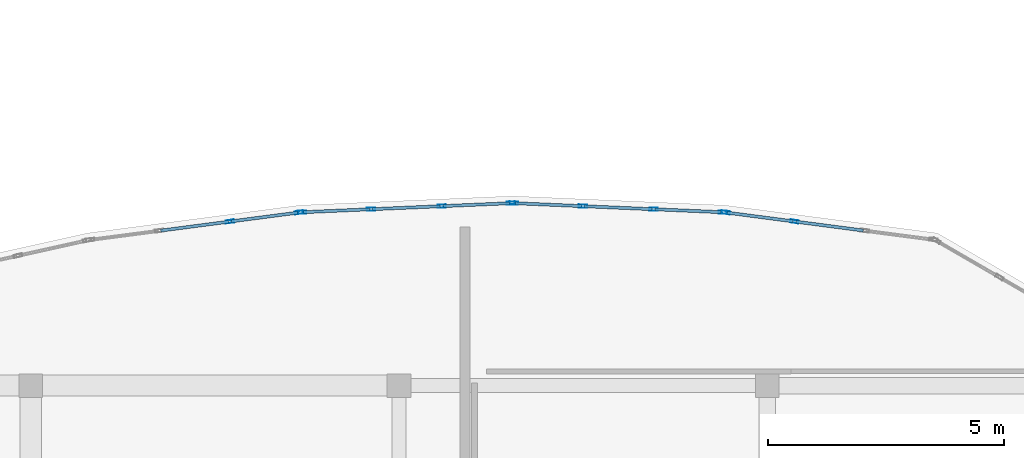
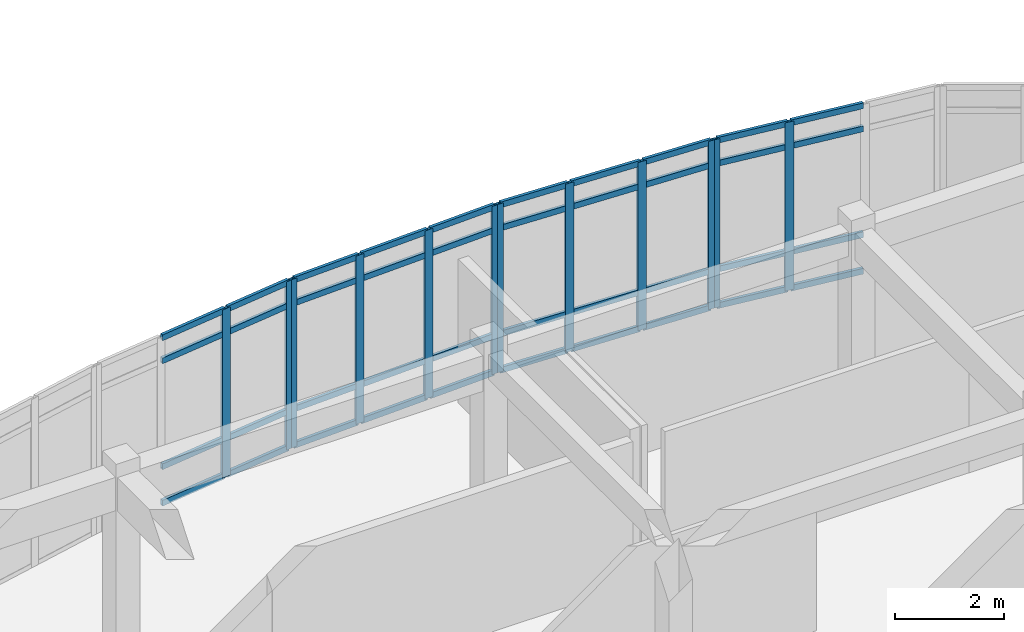
# One storey, part 25 of 52: 52 members, 4 elements without a shape of their own.
"""IFC4 building model written with IfcOpenShell, lengths in metres."""

from ifc_helpers import new_model, si_unit, direction, frame, origin, origin_2d, place, context, subcontext, project, spatial, hollow_rectangle, extrude, material, layer, layer_set, material_profile, profile_set, type_object, element, aggregate, save


model = new_model("IFC4")

# Units and contexts
model_context = context("Model", 3, precision=1e-05, world=origin(), true_north=direction((0.0, 1.0)))
body_context = subcontext(model_context, "Body", "Model", "MODEL_VIEW")
ifc_project = project(units=[si_unit("LENGTHUNIT", "METRE"), si_unit("AREAUNIT", "SQUARE_METRE"), si_unit("VOLUMEUNIT", "CUBIC_METRE"), si_unit("PLANEANGLEUNIT", "RADIAN"), si_unit("MASSUNIT", "GRAM", prefix="KILO")], contexts=[model_context])

# Site, building, storey
site_placement = place(None, origin())
site = spatial("IfcSite", under=ifc_project, at=site_placement, CompositionType="ELEMENT")
building_placement = place(site_placement, origin())
building = spatial("IfcBuilding", under=site, at=building_placement, Name="Valcora Specialist Clinic", CompositionType="ELEMENT")
storey_placement = place(building_placement, frame((0.0, 0.0, 17.679931640625)))
storey = spatial("IfcBuildingStorey", under=building, at=storey_placement, Name="L04", CompositionType="ELEMENT", Elevation=17.679931640625)

# Curtain wall, members
ifc_material = material(Name="Anodized Bronze Aluminium 6063-T6", Category="aluminium")
ifc_layer = layer(ifc_material, 0.175048828125)
ifc_layer_set = layer_set([ifc_layer], Name="Anodized Bronze Aluminium 6063-T6")
curtain_wall_type = type_object("IfcCurtainWallType", Name="TY-CW-ARC40", PredefinedType="NOTDEFINED", material=ifc_layer_set)
curtain_wall_1_placement = place(storey_placement, origin())
curtain_wall_1 = element("IfcCurtainWall", 1, at=curtain_wall_1_placement, inside=storey, type_object=curtain_wall_type, Name="Curtain wall CW-L04-220", PredefinedType="NOTDEFINED")
ifc_material_profile_1 = material_profile(ifc_material, hollow_rectangle(XDim=0.06494140625, YDim=0.175048828125, WallThickness=0.00390625, at=origin_2d()), Name="AL-MUL-65X175")
ifc_profile_set_1 = profile_set([ifc_material_profile_1], Name="Anodized Bronze Aluminium 6063-T6")
member_type_1 = type_object("IfcMemberType", Name="TY-CWM-65X175", PredefinedType="MULLION", material=ifc_profile_set_1)
member_1_placement = place(storey_placement, frame((81.017333984375, 25.474365234375, 0.0), z_axis=(0.0, 0.0, 1.0), x_axis=(-0.129999492259, 0.991514060421, 0.0)))
member_1 = element("IfcMember", 2, at=member_1_placement, type_object=member_type_1, Name="CW-ARC-40 mullion 3", PredefinedType="MULLION", context=body_context, shape_type="SweptSolid", body=[
    extrude(hollow_rectangle(XDim=0.06494140625, YDim=0.175048828125, WallThickness=0.00390625, at=origin_2d()), origin(), (0.0, 0.0, 1.0), 3.775146484375),
])
member_2_placement = place(storey_placement, frame((82.480712890625, 25.666259765625, 0.0), z_axis=(0.0, 0.0, 1.0), x_axis=(-0.129999492259, 0.991514060421, 0.0)))
member_2 = element("IfcMember", 3, at=member_2_placement, type_object=member_type_1, Name="CW-ARC-40 mullion 4", PredefinedType="MULLION", context=body_context, shape_type="SweptSolid", body=[
    extrude(hollow_rectangle(XDim=0.06494140625, YDim=0.175048828125, WallThickness=0.00390625, at=origin_2d()), origin(), (0.0, 0.0, 1.0), 3.775146484375),
])

curtain_wall_2_placement = place(storey_placement, origin())
curtain_wall_2 = element("IfcCurtainWall", 4, at=curtain_wall_2_placement, inside=storey, type_object=curtain_wall_type, Name="Curtain wall CW-L04-221", PredefinedType="NOTDEFINED")
member_3_placement = place(storey_placement, frame((82.54541015625, 25.671875, 0.0), z_axis=(0.0, 0.0, 1.0), x_axis=(-0.043306780525, 0.999061821291, 0.0)))
member_3 = element("IfcMember", 5, at=member_3_placement, type_object=member_type_1, Name="CW-ARC-40 mullion 1", PredefinedType="MULLION", context=body_context, shape_type="SweptSolid", body=[
    extrude(hollow_rectangle(XDim=0.06494140625, YDim=0.175048828125, WallThickness=0.00390625, at=origin_2d()), origin(), (0.0, 0.0, 1.0), 3.775146484375),
])
member_4_placement = place(storey_placement, frame((84.008544921875, 25.7353515625, 0.0), z_axis=(0.0, 0.0, 1.0), x_axis=(-0.043306780525, 0.999061821291, 0.0)))
member_4 = element("IfcMember", 6, at=member_4_placement, type_object=member_type_1, Name="CW-ARC-40 mullion 2", PredefinedType="MULLION", context=body_context, shape_type="SweptSolid", body=[
    extrude(hollow_rectangle(XDim=0.06494140625, YDim=0.175048828125, WallThickness=0.00390625, at=origin_2d()), origin(), (0.0, 0.0, 1.0), 3.775146484375),
])
member_5_placement = place(storey_placement, frame((85.50439453125, 25.800048828125, 0.0), z_axis=(0.0, 0.0, 1.0), x_axis=(-0.043306780525, 0.999061821291, 0.0)))
member_5 = element("IfcMember", 7, at=member_5_placement, type_object=member_type_1, Name="CW-ARC-40 mullion 3", PredefinedType="MULLION", context=body_context, shape_type="SweptSolid", body=[
    extrude(hollow_rectangle(XDim=0.06494140625, YDim=0.175048828125, WallThickness=0.00390625, at=origin_2d()), origin(), (0.0, 0.0, 1.0), 3.775146484375),
])
member_6_placement = place(storey_placement, frame((86.967529296875, 25.863525390625, 0.0), z_axis=(0.0, 0.0, 1.0), x_axis=(-0.043306780525, 0.999061821291, 0.0)))
member_6 = element("IfcMember", 8, at=member_6_placement, type_object=member_type_1, Name="CW-ARC-40 mullion 4", PredefinedType="MULLION", context=body_context, shape_type="SweptSolid", body=[
    extrude(hollow_rectangle(XDim=0.06494140625, YDim=0.175048828125, WallThickness=0.00390625, at=origin_2d()), origin(), (0.0, 0.0, 1.0), 3.775146484375),
])

curtain_wall_3_placement = place(storey_placement, origin())
curtain_wall_3 = element("IfcCurtainWall", 9, at=curtain_wall_3_placement, inside=storey, type_object=curtain_wall_type, Name="Curtain wall CW-L04-222", PredefinedType="NOTDEFINED")
member_7_placement = place(storey_placement, frame((87.032470703125, 25.863525390625, 0.0), z_axis=(0.0, 0.0, 1.0), x_axis=(0.043306780525, 0.999061821291, 0.0)))
member_7 = element("IfcMember", 10, at=member_7_placement, type_object=member_type_1, Name="CW-ARC-40 mullion 1", PredefinedType="MULLION", context=body_context, shape_type="SweptSolid", body=[
    extrude(hollow_rectangle(XDim=0.06494140625, YDim=0.175048828125, WallThickness=0.00390625, at=origin_2d()), origin(), (0.0, 0.0, 1.0), 3.775146484375),
])
member_8_placement = place(storey_placement, frame((88.49560546875, 25.800048828125, 0.0), z_axis=(0.0, 0.0, 1.0), x_axis=(0.043306780525, 0.999061821291, 0.0)))
member_8 = element("IfcMember", 11, at=member_8_placement, type_object=member_type_1, Name="CW-ARC-40 mullion 2", PredefinedType="MULLION", context=body_context, shape_type="SweptSolid", body=[
    extrude(hollow_rectangle(XDim=0.06494140625, YDim=0.175048828125, WallThickness=0.00390625, at=origin_2d()), origin(), (0.0, 0.0, 1.0), 3.775146484375),
])
member_9_placement = place(storey_placement, frame((89.991455078125, 25.7353515625, 0.0), z_axis=(0.0, 0.0, 1.0), x_axis=(0.043306780525, 0.999061821291, 0.0)))
member_9 = element("IfcMember", 12, at=member_9_placement, type_object=member_type_1, Name="CW-ARC-40 mullion 3", PredefinedType="MULLION", context=body_context, shape_type="SweptSolid", body=[
    extrude(hollow_rectangle(XDim=0.06494140625, YDim=0.175048828125, WallThickness=0.00390625, at=origin_2d()), origin(), (0.0, 0.0, 1.0), 3.775146484375),
])
member_10_placement = place(storey_placement, frame((91.45458984375, 25.671875, 0.0), z_axis=(0.0, 0.0, 1.0), x_axis=(0.043306780525, 0.999061821291, 0.0)))
member_10 = element("IfcMember", 13, at=member_10_placement, type_object=member_type_1, Name="CW-ARC-40 mullion 4", PredefinedType="MULLION", context=body_context, shape_type="SweptSolid", body=[
    extrude(hollow_rectangle(XDim=0.06494140625, YDim=0.175048828125, WallThickness=0.00390625, at=origin_2d()), origin(), (0.0, 0.0, 1.0), 3.775146484375),
])

curtain_wall_4_placement = place(storey_placement, origin())
curtain_wall_4 = element("IfcCurtainWall", 14, at=curtain_wall_4_placement, inside=storey, type_object=curtain_wall_type, Name="Curtain wall CW-L04-223", PredefinedType="NOTDEFINED")
member_11_placement = place(storey_placement, frame((91.519287109375, 25.666259765625, 0.0), z_axis=(0.0, 0.0, 1.0), x_axis=(0.129986783286, 0.991515726638, 0.0)))
member_11 = element("IfcMember", 15, at=member_11_placement, type_object=member_type_1, Name="CW-ARC-40 mullion 1", PredefinedType="MULLION", context=body_context, shape_type="SweptSolid", body=[
    extrude(hollow_rectangle(XDim=0.06494140625, YDim=0.175048828125, WallThickness=0.00390625, at=origin_2d()), origin(), (0.0, 0.0, 1.0), 3.775146484375),
])
member_12_placement = place(storey_placement, frame((92.974853515625, 25.475341796875, 0.0), z_axis=(0.0, 0.0, 1.0), x_axis=(0.129986783286, 0.991515726638, 0.0)))
member_12 = element("IfcMember", 16, at=member_12_placement, type_object=member_type_1, Name="CW-ARC-40 mullion 2", PredefinedType="MULLION", context=body_context, shape_type="SweptSolid", body=[
    extrude(hollow_rectangle(XDim=0.06494140625, YDim=0.175048828125, WallThickness=0.00390625, at=origin_2d()), origin(), (0.0, 0.0, 1.0), 3.775146484375),
])

# Member
ifc_material_profile_2 = material_profile(ifc_material, hollow_rectangle(XDim=0.06494140625, YDim=0.1298828125, WallThickness=0.00390625, at=origin_2d()), Name="AL-TRN-65X130")
ifc_profile_set_2 = profile_set([ifc_material_profile_2], Name="Anodized Bronze Aluminium 6063-T6")
member_type_2 = type_object("IfcMemberType", Name="TY-CWT-65X130", PredefinedType="USERDEFINED", material=ifc_profile_set_2)
member_13_placement = place(storey_placement, frame((79.553955078125, 25.282470703125, 0.032470703125), z_axis=(0.99152668223, 0.129903188665, 0.0), x_axis=(-0.129903188665, 0.99152668223, 0.0)))
member_13 = element("IfcMember", 17, at=member_13_placement, type_object=member_type_2, Name="CW-ARC-40 transom 2.1", ObjectType="TRANSOM", PredefinedType="USERDEFINED", context=body_context, shape_type="SweptSolid", body=[
    extrude(hollow_rectangle(XDim=0.06494140625, YDim=0.1298828125, WallThickness=0.00390625, at=origin_2d()), origin(), (0.0, 0.0, 1.0), 1.443359375),
])

member_14_placement = place(storey_placement, frame((79.553955078125, 25.282470703125, 0.85009765625), z_axis=(0.99152668223, 0.129903188665, 0.0), x_axis=(-0.129903188665, 0.99152668223, 0.0)))
member_14 = element("IfcMember", 18, at=member_14_placement, type_object=member_type_2, Name="CW-ARC-40 transom 2.2", ObjectType="TRANSOM", PredefinedType="USERDEFINED", context=body_context, shape_type="SweptSolid", body=[
    extrude(hollow_rectangle(XDim=0.06494140625, YDim=0.1298828125, WallThickness=0.00390625, at=origin_2d()), origin(), (0.0, 0.0, 1.0), 1.443359375),
])

member_15_placement = place(storey_placement, frame((79.553955078125, 25.282470703125, 3.22509765625), z_axis=(0.99152668223, 0.129903188665, 0.0), x_axis=(-0.129903188665, 0.99152668223, 0.0)))
member_15 = element("IfcMember", 19, at=member_15_placement, type_object=member_type_2, Name="CW-ARC-40 transom 2.3", ObjectType="TRANSOM", PredefinedType="USERDEFINED", context=body_context, shape_type="SweptSolid", body=[
    extrude(hollow_rectangle(XDim=0.06494140625, YDim=0.1298828125, WallThickness=0.00390625, at=origin_2d()), origin(), (0.0, 0.0, 1.0), 1.443359375),
])

member_16_placement = place(storey_placement, frame((79.553955078125, 25.282470703125, 3.74267578125), z_axis=(0.99152668223, 0.129903188665, 0.0), x_axis=(-0.129903188665, 0.99152668223, 0.0)))
member_16 = element("IfcMember", 20, at=member_16_placement, type_object=member_type_2, Name="CW-ARC-40 transom 2.4", ObjectType="TRANSOM", PredefinedType="USERDEFINED", context=body_context, shape_type="SweptSolid", body=[
    extrude(hollow_rectangle(XDim=0.06494140625, YDim=0.1298828125, WallThickness=0.00390625, at=origin_2d()), origin(), (0.0, 0.0, 1.0), 1.443359375),
])

member_17_placement = place(storey_placement, frame((81.049560546875, 25.478515625, 0.032470703125), z_axis=(0.991520133728, 0.129953162379, 0.0), x_axis=(-0.129953162379, 0.991520133728, 0.0)))
member_17 = element("IfcMember", 21, at=member_17_placement, type_object=member_type_2, Name="CW-ARC-40 transom 3.1", ObjectType="TRANSOM", PredefinedType="USERDEFINED", context=body_context, shape_type="SweptSolid", body=[
    extrude(hollow_rectangle(XDim=0.06494140625, YDim=0.1298828125, WallThickness=0.00390625, at=origin_2d()), origin(), (0.0, 0.0, 1.0), 1.410888671875),
])

member_18_placement = place(storey_placement, frame((81.049560546875, 25.478515625, 0.85009765625), z_axis=(0.991520133728, 0.129953162379, 0.0), x_axis=(-0.129953162379, 0.991520133728, 0.0)))
member_18 = element("IfcMember", 22, at=member_18_placement, type_object=member_type_2, Name="CW-ARC-40 transom 3.2", ObjectType="TRANSOM", PredefinedType="USERDEFINED", context=body_context, shape_type="SweptSolid", body=[
    extrude(hollow_rectangle(XDim=0.06494140625, YDim=0.1298828125, WallThickness=0.00390625, at=origin_2d()), origin(), (0.0, 0.0, 1.0), 1.410888671875),
])

member_19_placement = place(storey_placement, frame((81.049560546875, 25.478515625, 3.22509765625), z_axis=(0.991520133728, 0.129953162379, 0.0), x_axis=(-0.129953162379, 0.991520133728, 0.0)))
member_19 = element("IfcMember", 23, at=member_19_placement, type_object=member_type_2, Name="CW-ARC-40 transom 3.3", ObjectType="TRANSOM", PredefinedType="USERDEFINED", context=body_context, shape_type="SweptSolid", body=[
    extrude(hollow_rectangle(XDim=0.06494140625, YDim=0.1298828125, WallThickness=0.00390625, at=origin_2d()), origin(), (0.0, 0.0, 1.0), 1.410888671875),
])

member_20_placement = place(storey_placement, frame((81.049560546875, 25.478515625, 3.74267578125), z_axis=(0.991520133728, 0.129953162379, 0.0), x_axis=(-0.129953162379, 0.991520133728, 0.0)))
member_20 = element("IfcMember", 24, at=member_20_placement, type_object=member_type_2, Name="CW-ARC-40 transom 3.4", ObjectType="TRANSOM", PredefinedType="USERDEFINED", context=body_context, shape_type="SweptSolid", body=[
    extrude(hollow_rectangle(XDim=0.06494140625, YDim=0.1298828125, WallThickness=0.00390625, at=origin_2d()), origin(), (0.0, 0.0, 1.0), 1.410888671875),
])

aggregate(curtain_wall_1, [member_1, member_2, member_13, member_14, member_15, member_16, member_17, member_18, member_19, member_20])

member_21_placement = place(storey_placement, frame((82.577880859375, 25.673095703125, 0.032470703125), z_axis=(0.999056487414, 0.043429655266, 0.0), x_axis=(-0.043429655266, 0.999056487414, 0.0)))
member_21 = element("IfcMember", 25, at=member_21_placement, type_object=member_type_2, Name="CW-ARC-40 transom 1.1", ObjectType="TRANSOM", PredefinedType="USERDEFINED", context=body_context, shape_type="SweptSolid", body=[
    extrude(hollow_rectangle(XDim=0.06494140625, YDim=0.1298828125, WallThickness=0.00390625, at=origin_2d()), origin(), (0.0, 0.0, 1.0), 1.399658203125),
])

member_22_placement = place(storey_placement, frame((82.577880859375, 25.673095703125, 0.85009765625), z_axis=(0.999056487414, 0.043429655266, 0.0), x_axis=(-0.043429655266, 0.999056487414, 0.0)))
member_22 = element("IfcMember", 26, at=member_22_placement, type_object=member_type_2, Name="CW-ARC-40 transom 1.2", ObjectType="TRANSOM", PredefinedType="USERDEFINED", context=body_context, shape_type="SweptSolid", body=[
    extrude(hollow_rectangle(XDim=0.06494140625, YDim=0.1298828125, WallThickness=0.00390625, at=origin_2d()), origin(), (0.0, 0.0, 1.0), 1.399658203125),
])

member_23_placement = place(storey_placement, frame((82.577880859375, 25.673095703125, 3.22509765625), z_axis=(0.999056487414, 0.043429655266, 0.0), x_axis=(-0.043429655266, 0.999056487414, 0.0)))
member_23 = element("IfcMember", 27, at=member_23_placement, type_object=member_type_2, Name="CW-ARC-40 transom 1.3", ObjectType="TRANSOM", PredefinedType="USERDEFINED", context=body_context, shape_type="SweptSolid", body=[
    extrude(hollow_rectangle(XDim=0.06494140625, YDim=0.1298828125, WallThickness=0.00390625, at=origin_2d()), origin(), (0.0, 0.0, 1.0), 1.399658203125),
])

member_24_placement = place(storey_placement, frame((82.577880859375, 25.673095703125, 3.74267578125), z_axis=(0.999056487414, 0.043429655266, 0.0), x_axis=(-0.043429655266, 0.999056487414, 0.0)))
member_24 = element("IfcMember", 28, at=member_24_placement, type_object=member_type_2, Name="CW-ARC-40 transom 1.4", ObjectType="TRANSOM", PredefinedType="USERDEFINED", context=body_context, shape_type="SweptSolid", body=[
    extrude(hollow_rectangle(XDim=0.06494140625, YDim=0.1298828125, WallThickness=0.00390625, at=origin_2d()), origin(), (0.0, 0.0, 1.0), 1.399658203125),
])

member_25_placement = place(storey_placement, frame((84.041015625, 25.736572265625, 0.032470703125), z_axis=(0.999062259276, 0.043296675287, 0.0), x_axis=(-0.043296675287, 0.999062259276, 0.0)))
member_25 = element("IfcMember", 29, at=member_25_placement, type_object=member_type_2, Name="CW-ARC-40 transom 2.1", ObjectType="TRANSOM", PredefinedType="USERDEFINED", context=body_context, shape_type="SweptSolid", body=[
    extrude(hollow_rectangle(XDim=0.06494140625, YDim=0.1298828125, WallThickness=0.00390625, at=origin_2d()), origin(), (0.0, 0.0, 1.0), 1.432373046875),
])

member_26_placement = place(storey_placement, frame((84.041015625, 25.736572265625, 0.85009765625), z_axis=(0.999062259276, 0.043296675287, 0.0), x_axis=(-0.043296675287, 0.999062259276, 0.0)))
member_26 = element("IfcMember", 30, at=member_26_placement, type_object=member_type_2, Name="CW-ARC-40 transom 2.2", ObjectType="TRANSOM", PredefinedType="USERDEFINED", context=body_context, shape_type="SweptSolid", body=[
    extrude(hollow_rectangle(XDim=0.06494140625, YDim=0.1298828125, WallThickness=0.00390625, at=origin_2d()), origin(), (0.0, 0.0, 1.0), 1.432373046875),
])

member_27_placement = place(storey_placement, frame((84.041015625, 25.736572265625, 3.22509765625), z_axis=(0.999062259276, 0.043296675287, 0.0), x_axis=(-0.043296675287, 0.999062259276, 0.0)))
member_27 = element("IfcMember", 31, at=member_27_placement, type_object=member_type_2, Name="CW-ARC-40 transom 2.3", ObjectType="TRANSOM", PredefinedType="USERDEFINED", context=body_context, shape_type="SweptSolid", body=[
    extrude(hollow_rectangle(XDim=0.06494140625, YDim=0.1298828125, WallThickness=0.00390625, at=origin_2d()), origin(), (0.0, 0.0, 1.0), 1.432373046875),
])

member_28_placement = place(storey_placement, frame((84.041015625, 25.736572265625, 3.74267578125), z_axis=(0.999062259276, 0.043296675287, 0.0), x_axis=(-0.043296675287, 0.999062259276, 0.0)))
member_28 = element("IfcMember", 32, at=member_28_placement, type_object=member_type_2, Name="CW-ARC-40 transom 2.4", ObjectType="TRANSOM", PredefinedType="USERDEFINED", context=body_context, shape_type="SweptSolid", body=[
    extrude(hollow_rectangle(XDim=0.06494140625, YDim=0.1298828125, WallThickness=0.00390625, at=origin_2d()), origin(), (0.0, 0.0, 1.0), 1.432373046875),
])

member_29_placement = place(storey_placement, frame((85.536865234375, 25.801513671875, 0.032470703125), z_axis=(0.999063713567, 0.043263104761, 0.0), x_axis=(-0.043263104761, 0.999063713567, 0.0)))
member_29 = element("IfcMember", 33, at=member_29_placement, type_object=member_type_2, Name="CW-ARC-40 transom 3.1", ObjectType="TRANSOM", PredefinedType="USERDEFINED", context=body_context, shape_type="SweptSolid", body=[
    extrude(hollow_rectangle(XDim=0.06494140625, YDim=0.1298828125, WallThickness=0.00390625, at=origin_2d()), origin(), (0.0, 0.0, 1.0), 1.3994140625),
])

member_30_placement = place(storey_placement, frame((85.536865234375, 25.801513671875, 0.85009765625), z_axis=(0.999063713567, 0.043263104761, 0.0), x_axis=(-0.043263104761, 0.999063713567, 0.0)))
member_30 = element("IfcMember", 34, at=member_30_placement, type_object=member_type_2, Name="CW-ARC-40 transom 3.2", ObjectType="TRANSOM", PredefinedType="USERDEFINED", context=body_context, shape_type="SweptSolid", body=[
    extrude(hollow_rectangle(XDim=0.06494140625, YDim=0.1298828125, WallThickness=0.00390625, at=origin_2d()), origin(), (0.0, 0.0, 1.0), 1.3994140625),
])

member_31_placement = place(storey_placement, frame((85.536865234375, 25.801513671875, 3.22509765625), z_axis=(0.999063713567, 0.043263104761, 0.0), x_axis=(-0.043263104761, 0.999063713567, 0.0)))
member_31 = element("IfcMember", 35, at=member_31_placement, type_object=member_type_2, Name="CW-ARC-40 transom 3.3", ObjectType="TRANSOM", PredefinedType="USERDEFINED", context=body_context, shape_type="SweptSolid", body=[
    extrude(hollow_rectangle(XDim=0.06494140625, YDim=0.1298828125, WallThickness=0.00390625, at=origin_2d()), origin(), (0.0, 0.0, 1.0), 1.3994140625),
])

member_32_placement = place(storey_placement, frame((85.536865234375, 25.801513671875, 3.74267578125), z_axis=(0.999063713567, 0.043263104761, 0.0), x_axis=(-0.043263104761, 0.999063713567, 0.0)))
member_32 = element("IfcMember", 36, at=member_32_placement, type_object=member_type_2, Name="CW-ARC-40 transom 3.4", ObjectType="TRANSOM", PredefinedType="USERDEFINED", context=body_context, shape_type="SweptSolid", body=[
    extrude(hollow_rectangle(XDim=0.06494140625, YDim=0.1298828125, WallThickness=0.00390625, at=origin_2d()), origin(), (0.0, 0.0, 1.0), 1.3994140625),
])

aggregate(curtain_wall_2, [member_3, member_4, member_5, member_6, member_21, member_22, member_23, member_24, member_25, member_26, member_27, member_28, member_29, member_30, member_31, member_32])

member_33_placement = place(storey_placement, frame((87.06494140625, 25.862060546875, 0.032470703125), z_axis=(0.999063713567, -0.043263104761, 0.0), x_axis=(0.043263104761, 0.999063713567, 0.0)))
member_33 = element("IfcMember", 37, at=member_33_placement, type_object=member_type_2, Name="CW-ARC-40 transom 1.1", ObjectType="TRANSOM", PredefinedType="USERDEFINED", context=body_context, shape_type="SweptSolid", body=[
    extrude(hollow_rectangle(XDim=0.06494140625, YDim=0.1298828125, WallThickness=0.00390625, at=origin_2d()), origin(), (0.0, 0.0, 1.0), 1.3994140625),
])

member_34_placement = place(storey_placement, frame((87.06494140625, 25.862060546875, 0.85009765625), z_axis=(0.999063713567, -0.043263104761, 0.0), x_axis=(0.043263104761, 0.999063713567, 0.0)))
member_34 = element("IfcMember", 38, at=member_34_placement, type_object=member_type_2, Name="CW-ARC-40 transom 1.2", ObjectType="TRANSOM", PredefinedType="USERDEFINED", context=body_context, shape_type="SweptSolid", body=[
    extrude(hollow_rectangle(XDim=0.06494140625, YDim=0.1298828125, WallThickness=0.00390625, at=origin_2d()), origin(), (0.0, 0.0, 1.0), 1.3994140625),
])

member_35_placement = place(storey_placement, frame((87.06494140625, 25.862060546875, 3.22509765625), z_axis=(0.999063713567, -0.043263104761, 0.0), x_axis=(0.043263104761, 0.999063713567, 0.0)))
member_35 = element("IfcMember", 39, at=member_35_placement, type_object=member_type_2, Name="CW-ARC-40 transom 1.3", ObjectType="TRANSOM", PredefinedType="USERDEFINED", context=body_context, shape_type="SweptSolid", body=[
    extrude(hollow_rectangle(XDim=0.06494140625, YDim=0.1298828125, WallThickness=0.00390625, at=origin_2d()), origin(), (0.0, 0.0, 1.0), 1.3994140625),
])

member_36_placement = place(storey_placement, frame((87.06494140625, 25.862060546875, 3.74267578125), z_axis=(0.999063713567, -0.043263104761, 0.0), x_axis=(0.043263104761, 0.999063713567, 0.0)))
member_36 = element("IfcMember", 40, at=member_36_placement, type_object=member_type_2, Name="CW-ARC-40 transom 1.4", ObjectType="TRANSOM", PredefinedType="USERDEFINED", context=body_context, shape_type="SweptSolid", body=[
    extrude(hollow_rectangle(XDim=0.06494140625, YDim=0.1298828125, WallThickness=0.00390625, at=origin_2d()), origin(), (0.0, 0.0, 1.0), 1.3994140625),
])

member_37_placement = place(storey_placement, frame((88.528076171875, 25.798583984375, 0.032470703125), z_axis=(0.999062259276, -0.043296675287, 0.0), x_axis=(0.043296675287, 0.999062259276, 0.0)))
member_37 = element("IfcMember", 41, at=member_37_placement, type_object=member_type_2, Name="CW-ARC-40 transom 2.1", ObjectType="TRANSOM", PredefinedType="USERDEFINED", context=body_context, shape_type="SweptSolid", body=[
    extrude(hollow_rectangle(XDim=0.06494140625, YDim=0.1298828125, WallThickness=0.00390625, at=origin_2d()), origin(), (0.0, 0.0, 1.0), 1.432373046875),
])

member_38_placement = place(storey_placement, frame((88.528076171875, 25.798583984375, 0.85009765625), z_axis=(0.999062259276, -0.043296675287, 0.0), x_axis=(0.043296675287, 0.999062259276, 0.0)))
member_38 = element("IfcMember", 42, at=member_38_placement, type_object=member_type_2, Name="CW-ARC-40 transom 2.2", ObjectType="TRANSOM", PredefinedType="USERDEFINED", context=body_context, shape_type="SweptSolid", body=[
    extrude(hollow_rectangle(XDim=0.06494140625, YDim=0.1298828125, WallThickness=0.00390625, at=origin_2d()), origin(), (0.0, 0.0, 1.0), 1.432373046875),
])

member_39_placement = place(storey_placement, frame((88.528076171875, 25.798583984375, 3.22509765625), z_axis=(0.999062259276, -0.043296675287, 0.0), x_axis=(0.043296675287, 0.999062259276, 0.0)))
member_39 = element("IfcMember", 43, at=member_39_placement, type_object=member_type_2, Name="CW-ARC-40 transom 2.3", ObjectType="TRANSOM", PredefinedType="USERDEFINED", context=body_context, shape_type="SweptSolid", body=[
    extrude(hollow_rectangle(XDim=0.06494140625, YDim=0.1298828125, WallThickness=0.00390625, at=origin_2d()), origin(), (0.0, 0.0, 1.0), 1.432373046875),
])

member_40_placement = place(storey_placement, frame((88.528076171875, 25.798583984375, 3.74267578125), z_axis=(0.999062259276, -0.043296675287, 0.0), x_axis=(0.043296675287, 0.999062259276, 0.0)))
member_40 = element("IfcMember", 44, at=member_40_placement, type_object=member_type_2, Name="CW-ARC-40 transom 2.4", ObjectType="TRANSOM", PredefinedType="USERDEFINED", context=body_context, shape_type="SweptSolid", body=[
    extrude(hollow_rectangle(XDim=0.06494140625, YDim=0.1298828125, WallThickness=0.00390625, at=origin_2d()), origin(), (0.0, 0.0, 1.0), 1.432373046875),
])

member_41_placement = place(storey_placement, frame((90.023681640625, 25.73388671875, 0.032470703125), z_axis=(0.999056487414, -0.043429655266, 0.0), x_axis=(0.043429655266, 0.999056487414, 0.0)))
member_41 = element("IfcMember", 45, at=member_41_placement, type_object=member_type_2, Name="CW-ARC-40 transom 3.1", ObjectType="TRANSOM", PredefinedType="USERDEFINED", context=body_context, shape_type="SweptSolid", body=[
    extrude(hollow_rectangle(XDim=0.06494140625, YDim=0.1298828125, WallThickness=0.00390625, at=origin_2d()), origin(), (0.0, 0.0, 1.0), 1.399658203125),
])

member_42_placement = place(storey_placement, frame((90.023681640625, 25.73388671875, 0.85009765625), z_axis=(0.999056487414, -0.043429655266, 0.0), x_axis=(0.043429655266, 0.999056487414, 0.0)))
member_42 = element("IfcMember", 46, at=member_42_placement, type_object=member_type_2, Name="CW-ARC-40 transom 3.2", ObjectType="TRANSOM", PredefinedType="USERDEFINED", context=body_context, shape_type="SweptSolid", body=[
    extrude(hollow_rectangle(XDim=0.06494140625, YDim=0.1298828125, WallThickness=0.00390625, at=origin_2d()), origin(), (0.0, 0.0, 1.0), 1.399658203125),
])

member_43_placement = place(storey_placement, frame((90.023681640625, 25.73388671875, 3.22509765625), z_axis=(0.999056487414, -0.043429655266, 0.0), x_axis=(0.043429655266, 0.999056487414, 0.0)))
member_43 = element("IfcMember", 47, at=member_43_placement, type_object=member_type_2, Name="CW-ARC-40 transom 3.3", ObjectType="TRANSOM", PredefinedType="USERDEFINED", context=body_context, shape_type="SweptSolid", body=[
    extrude(hollow_rectangle(XDim=0.06494140625, YDim=0.1298828125, WallThickness=0.00390625, at=origin_2d()), origin(), (0.0, 0.0, 1.0), 1.399658203125),
])

member_44_placement = place(storey_placement, frame((90.023681640625, 25.73388671875, 3.74267578125), z_axis=(0.999056487414, -0.043429655266, 0.0), x_axis=(0.043429655266, 0.999056487414, 0.0)))
member_44 = element("IfcMember", 48, at=member_44_placement, type_object=member_type_2, Name="CW-ARC-40 transom 3.4", ObjectType="TRANSOM", PredefinedType="USERDEFINED", context=body_context, shape_type="SweptSolid", body=[
    extrude(hollow_rectangle(XDim=0.06494140625, YDim=0.1298828125, WallThickness=0.00390625, at=origin_2d()), origin(), (0.0, 0.0, 1.0), 1.399658203125),
])

aggregate(curtain_wall_3, [member_7, member_8, member_9, member_10, member_33, member_34, member_35, member_36, member_37, member_38, member_39, member_40, member_41, member_42, member_43, member_44])

member_45_placement = place(storey_placement, frame((91.551513671875, 25.661865234375, 0.032470703125), z_axis=(0.991515781905, -0.12998636172, 0.0), x_axis=(0.12998636172, 0.991515781905, 0.0)))
member_45 = element("IfcMember", 49, at=member_45_placement, type_object=member_type_2, Name="CW-ARC-40 transom 1.1", ObjectType="TRANSOM", PredefinedType="USERDEFINED", context=body_context, shape_type="SweptSolid", body=[
    extrude(hollow_rectangle(XDim=0.06494140625, YDim=0.1298828125, WallThickness=0.00390625, at=origin_2d()), origin(), (0.0, 0.0, 1.0), 1.403076171875),
])

member_46_placement = place(storey_placement, frame((91.551513671875, 25.661865234375, 0.85009765625), z_axis=(0.991515781905, -0.12998636172, 0.0), x_axis=(0.12998636172, 0.991515781905, 0.0)))
member_46 = element("IfcMember", 50, at=member_46_placement, type_object=member_type_2, Name="CW-ARC-40 transom 1.2", ObjectType="TRANSOM", PredefinedType="USERDEFINED", context=body_context, shape_type="SweptSolid", body=[
    extrude(hollow_rectangle(XDim=0.06494140625, YDim=0.1298828125, WallThickness=0.00390625, at=origin_2d()), origin(), (0.0, 0.0, 1.0), 1.403076171875),
])

member_47_placement = place(storey_placement, frame((91.551513671875, 25.661865234375, 3.22509765625), z_axis=(0.991515781905, -0.12998636172, 0.0), x_axis=(0.12998636172, 0.991515781905, 0.0)))
member_47 = element("IfcMember", 51, at=member_47_placement, type_object=member_type_2, Name="CW-ARC-40 transom 1.3", ObjectType="TRANSOM", PredefinedType="USERDEFINED", context=body_context, shape_type="SweptSolid", body=[
    extrude(hollow_rectangle(XDim=0.06494140625, YDim=0.1298828125, WallThickness=0.00390625, at=origin_2d()), origin(), (0.0, 0.0, 1.0), 1.403076171875),
])

member_48_placement = place(storey_placement, frame((91.551513671875, 25.661865234375, 3.74267578125), z_axis=(0.991515781905, -0.12998636172, 0.0), x_axis=(0.12998636172, 0.991515781905, 0.0)))
member_48 = element("IfcMember", 52, at=member_48_placement, type_object=member_type_2, Name="CW-ARC-40 transom 1.4", ObjectType="TRANSOM", PredefinedType="USERDEFINED", context=body_context, shape_type="SweptSolid", body=[
    extrude(hollow_rectangle(XDim=0.06494140625, YDim=0.1298828125, WallThickness=0.00390625, at=origin_2d()), origin(), (0.0, 0.0, 1.0), 1.403076171875),
])

member_49_placement = place(storey_placement, frame((93.007080078125, 25.47119140625, 0.032470703125), z_axis=(0.991503419746, -0.130080623582, 0.0), x_axis=(0.130080623582, 0.991503419746, 0.0)))
member_49 = element("IfcMember", 53, at=member_49_placement, type_object=member_type_2, Name="CW-ARC-40 transom 2.1", ObjectType="TRANSOM", PredefinedType="USERDEFINED", context=body_context, shape_type="SweptSolid", body=[
    extrude(hollow_rectangle(XDim=0.06494140625, YDim=0.1298828125, WallThickness=0.00390625, at=origin_2d()), origin(), (0.0, 0.0, 1.0), 1.435791015625),
])

member_50_placement = place(storey_placement, frame((93.007080078125, 25.47119140625, 0.85009765625), z_axis=(0.991503419746, -0.130080623582, 0.0), x_axis=(0.130080623582, 0.991503419746, 0.0)))
member_50 = element("IfcMember", 54, at=member_50_placement, type_object=member_type_2, Name="CW-ARC-40 transom 2.2", ObjectType="TRANSOM", PredefinedType="USERDEFINED", context=body_context, shape_type="SweptSolid", body=[
    extrude(hollow_rectangle(XDim=0.06494140625, YDim=0.1298828125, WallThickness=0.00390625, at=origin_2d()), origin(), (0.0, 0.0, 1.0), 1.435791015625),
])

member_51_placement = place(storey_placement, frame((93.007080078125, 25.47119140625, 3.22509765625), z_axis=(0.991503419746, -0.130080623582, 0.0), x_axis=(0.130080623582, 0.991503419746, 0.0)))
member_51 = element("IfcMember", 55, at=member_51_placement, type_object=member_type_2, Name="CW-ARC-40 transom 2.3", ObjectType="TRANSOM", PredefinedType="USERDEFINED", context=body_context, shape_type="SweptSolid", body=[
    extrude(hollow_rectangle(XDim=0.06494140625, YDim=0.1298828125, WallThickness=0.00390625, at=origin_2d()), origin(), (0.0, 0.0, 1.0), 1.435791015625),
])

member_52_placement = place(storey_placement, frame((93.007080078125, 25.47119140625, 3.74267578125), z_axis=(0.991503419746, -0.130080623582, 0.0), x_axis=(0.130080623582, 0.991503419746, 0.0)))
member_52 = element("IfcMember", 56, at=member_52_placement, type_object=member_type_2, Name="CW-ARC-40 transom 2.4", ObjectType="TRANSOM", PredefinedType="USERDEFINED", context=body_context, shape_type="SweptSolid", body=[
    extrude(hollow_rectangle(XDim=0.06494140625, YDim=0.1298828125, WallThickness=0.00390625, at=origin_2d()), origin(), (0.0, 0.0, 1.0), 1.435791015625),
])

aggregate(curtain_wall_4, [member_11, member_12, member_45, member_46, member_47, member_48, member_49, member_50, member_51, member_52])

save(model, "model.ifc")
